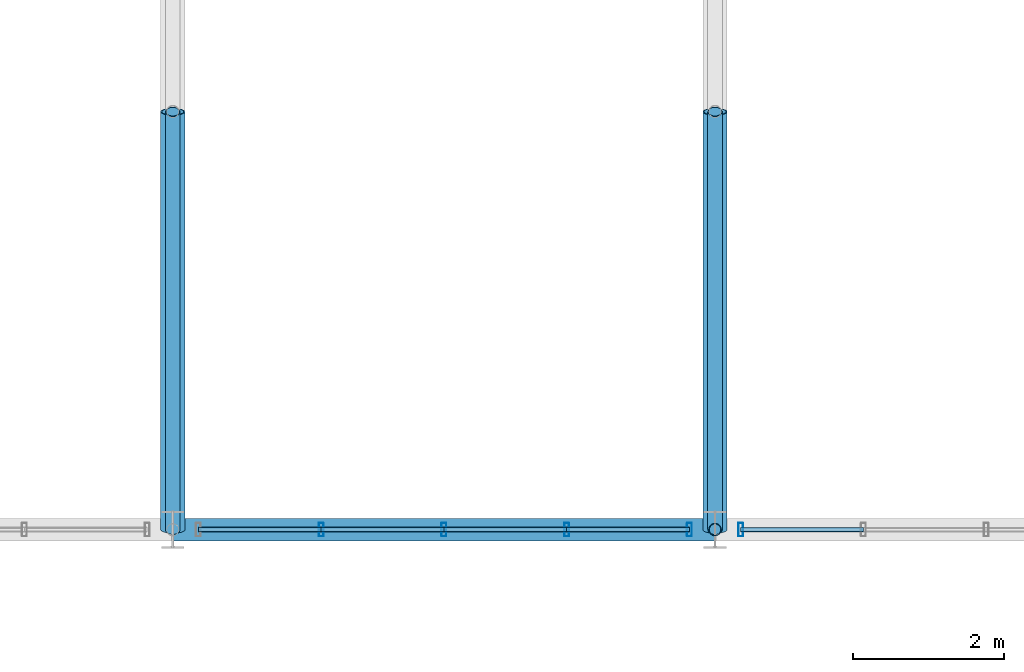
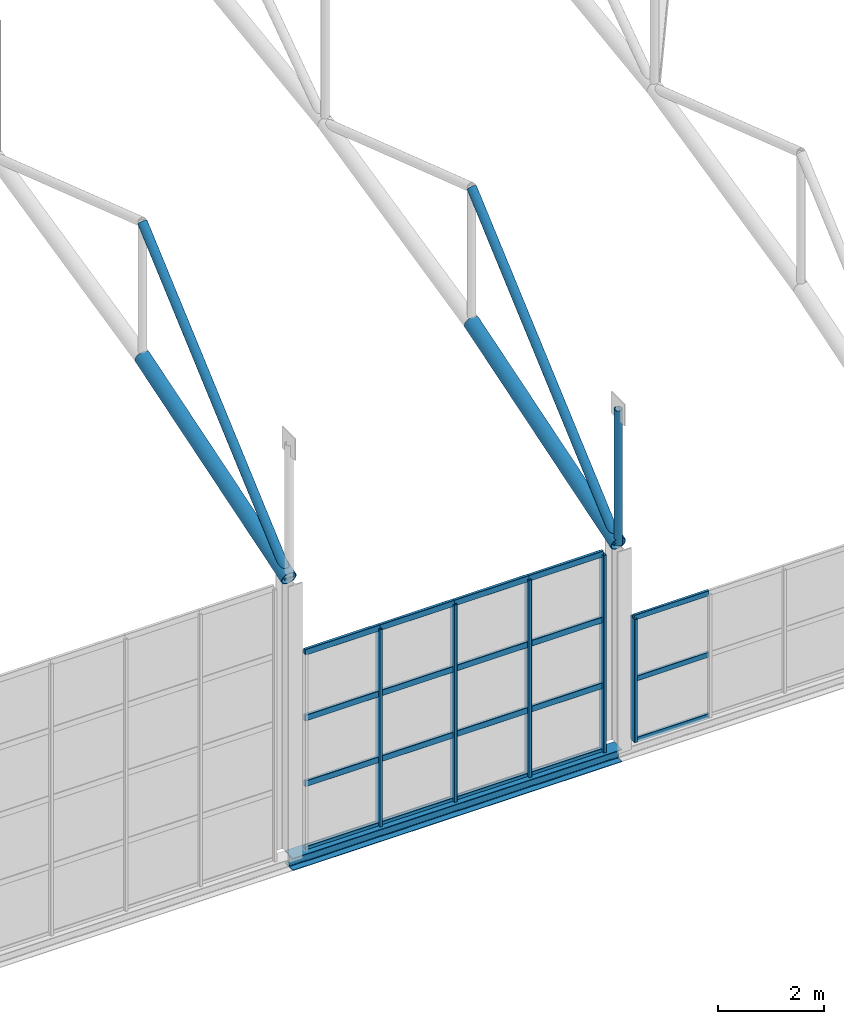
# One storey, part 18 of 153: 29 members, 1 beam, 2 elements without a shape of their own.
"""IFC4 building model written with IfcOpenShell, lengths in metres."""

from ifc_helpers import new_model, si_unit, derived_unit, direction, frame, origin, origin_2d, place, context, subcontext, project, spatial, hollow_rectangle, hollow_circle, i_section, extrude, material, material_profile, profile_set, type_object, element, aggregate, save


model = new_model("IFC4")

# Units and contexts
model_context = context("Model", 3, precision=1e-05, world=origin(), true_north=direction((0.0, 1.0)))
body_context = subcontext(model_context, "Body", "Model", "MODEL_VIEW")
ifc_project = project(units=[si_unit("LENGTHUNIT", "METRE"), si_unit("AREAUNIT", "SQUARE_METRE"), si_unit("VOLUMEUNIT", "CUBIC_METRE"), si_unit("PLANEANGLEUNIT", "RADIAN"), si_unit("MASSUNIT", "GRAM", prefix="KILO"), derived_unit("THERMALTRANSMITTANCEUNIT", [(si_unit("POWERUNIT", "WATT"), 1), (si_unit("LENGTHUNIT", "METRE"), -2), (si_unit("THERMODYNAMICTEMPERATUREUNIT", "KELVIN"), -1)])], contexts=[model_context])

# Site, building, storey
site_placement = place(None, origin())
site = spatial("IfcSite", under=ifc_project, at=site_placement, CompositionType="ELEMENT")
building_placement = place(site_placement, origin())
building = spatial("IfcBuilding", under=site, at=building_placement, Name="Keldorne Ridge Multi-Sports Centre", CompositionType="ELEMENT")
storey_placement = place(building_placement, frame((0.0, 0.0, 9.60009765625)))
storey = spatial("IfcBuildingStorey", under=building, at=storey_placement, Name="L02", CompositionType="ELEMENT", Elevation=9.60009765625)

# Beam
ifc_material_1 = material(Name="Steel S355", Category="steel")
ifc_material_profile_1 = material_profile(ifc_material_1, i_section(OverallWidth=0.300048828125, OverallDepth=0.2900390625, WebThickness=0.008544921875, FlangeThickness=0.013916015625, FilletRadius=0.027099609375, at=origin_2d()), Name="HEA 300")
ifc_profile_set_1 = profile_set([ifc_material_profile_1], Name="Steel S355")
beam_type = type_object("IfcBeamType", Name="BM-SP-04", PredefinedType="SPANDREL", material=ifc_profile_set_1)
beam_placement = place(storey_placement, frame((13.199951171875, 9.60009765625, -0.150146484375), z_axis=(1.0, 0.0, 0.0), x_axis=(0.0, 1.0, 0.0)))
element("IfcBeam", 1, at=beam_placement, inside=storey, type_object=beam_type, Name="Main Hall south spandrel L02.2", PredefinedType="SPANDREL", context=body_context, shape_type="SweptSolid", body=[
    extrude(i_section(OverallWidth=0.300048828125, OverallDepth=0.2900390625, WebThickness=0.008544921875, FlangeThickness=0.013916015625, FilletRadius=0.027099609375, at=origin_2d()), origin(), (0.0, 0.0, 1.0), 7.199951171875),
])

# Curtain wall, members
ifc_material_2 = material(Name="Anodized aluminium", Category="aluminium")
curtain_wall_type_1 = type_object("IfcCurtainWallType", Name="CW-CW-05", PredefinedType="NOTDEFINED", material=ifc_material_2)
curtain_wall_1_placement = place(storey_placement, origin())
curtain_wall_1 = element("IfcCurtainWall", 2, at=curtain_wall_1_placement, inside=storey, type_object=curtain_wall_type_1, Name="Main Hall south high clerestory 005", PredefinedType="NOTDEFINED")
ifc_material_profile_2 = material_profile(ifc_material_2, hollow_rectangle(XDim=0.06494140625, YDim=0.179931640625, WallThickness=0.00439453125, InnerFilletRadius=0.00439453125, OuterFilletRadius=0.009033203125, at=origin_2d()), Name="ALU MULLION 180x65x4.5")
ifc_profile_set_2 = profile_set([ifc_material_profile_2], Name="Anodized aluminium")
member_type_1 = type_object("IfcMemberType", Name="MEM-ML-01", PredefinedType="MULLION", material=ifc_profile_set_2)
member_1_placement = place(storey_placement, frame((15.169921875, 9.60009765625, 0.0), z_axis=(0.0, 0.0, 1.0), x_axis=(1.0, 0.0, 0.0)))
member_1 = element("IfcMember", 3, at=member_1_placement, type_object=member_type_1, Name="CW-005 vertical mullion 2", PredefinedType="MULLION", context=body_context, shape_type="SweptSolid", body=[
    extrude(hollow_rectangle(XDim=0.06494140625, YDim=0.179931640625, WallThickness=0.00439453125, InnerFilletRadius=0.00439453125, OuterFilletRadius=0.009033203125, at=origin_2d()), origin(), (0.0, 0.0, 1.0), 4.559814453125),
])
member_2_placement = place(storey_placement, frame((16.800048828125, 9.60009765625, 0.0), z_axis=(0.0, 0.0, 1.0), x_axis=(1.0, 0.0, 0.0)))
member_2 = element("IfcMember", 4, at=member_2_placement, type_object=member_type_1, Name="CW-005 vertical mullion 3", PredefinedType="MULLION", context=body_context, shape_type="SweptSolid", body=[
    extrude(hollow_rectangle(XDim=0.06494140625, YDim=0.179931640625, WallThickness=0.00439453125, InnerFilletRadius=0.00439453125, OuterFilletRadius=0.009033203125, at=origin_2d()), origin(), (0.0, 0.0, 1.0), 4.559814453125),
])
member_3_placement = place(storey_placement, frame((18.429931640625, 9.60009765625, 0.0), z_axis=(0.0, 0.0, 1.0), x_axis=(1.0, 0.0, 0.0)))
member_3 = element("IfcMember", 5, at=member_3_placement, type_object=member_type_1, Name="CW-005 vertical mullion 4", PredefinedType="MULLION", context=body_context, shape_type="SweptSolid", body=[
    extrude(hollow_rectangle(XDim=0.06494140625, YDim=0.179931640625, WallThickness=0.00439453125, InnerFilletRadius=0.00439453125, OuterFilletRadius=0.009033203125, at=origin_2d()), origin(), (0.0, 0.0, 1.0), 4.559814453125),
])
member_4_placement = place(storey_placement, frame((20.06005859375, 9.60009765625, 0.0), z_axis=(0.0, 0.0, 1.0), x_axis=(1.0, 0.0, 0.0)))
member_4 = element("IfcMember", 6, at=member_4_placement, type_object=member_type_1, Name="CW-005 vertical mullion 5", PredefinedType="MULLION", context=body_context, shape_type="SweptSolid", body=[
    extrude(hollow_rectangle(XDim=0.06494140625, YDim=0.179931640625, WallThickness=0.00439453125, InnerFilletRadius=0.00439453125, OuterFilletRadius=0.009033203125, at=origin_2d()), origin(), (0.0, 0.0, 1.0), 4.559814453125),
])

# Curtain wall, member
curtain_wall_type_2 = type_object("IfcCurtainWallType", Name="CW-CW-08", PredefinedType="NOTDEFINED", material=ifc_material_2)
curtain_wall_2_placement = place(storey_placement, origin())
curtain_wall_2 = element("IfcCurtainWall", 7, at=curtain_wall_2_placement, inside=storey, type_object=curtain_wall_type_2, Name="Main Hall south high clerestory 008", PredefinedType="NOTDEFINED")
member_5_placement = place(storey_placement, frame((20.739990234375, 9.60009765625, 0.0), z_axis=(0.0, 0.0, 1.0), x_axis=(1.0, 0.0, 0.0)))
member_5 = element("IfcMember", 8, at=member_5_placement, type_object=member_type_1, Name="CW-008 vertical mullion 1", PredefinedType="MULLION", context=body_context, shape_type="SweptSolid", body=[
    extrude(hollow_rectangle(XDim=0.06494140625, YDim=0.179931640625, WallThickness=0.00439453125, InnerFilletRadius=0.00439453125, OuterFilletRadius=0.009033203125, at=origin_2d()), origin(), (0.0, 0.0, 1.0), 2.83984375),
])

# Members
ifc_material_profile_3 = material_profile(ifc_material_1, hollow_circle(Radius=0.161865234375, WallThickness=0.01611328125, at=origin_2d()), Name="CHS 323.9x16")
ifc_profile_set_3 = profile_set([ifc_material_profile_3], Name="Steel S355")
member_type_2 = type_object("IfcMemberType", Name="MEM-TC-02", PredefinedType="CHORD", material=ifc_profile_set_3)
for number, where, z_axis, x_axis, name in (
    (9, (13.199951171875, 9.60009765625, 6.3798828125), (0.0, 0.953709395146, 0.300729761763), (-1.0, 0.0, 0.0), "Main Hall ROOF TRUSS AT-02 bottom chord 1"),
    (10, (20.39990234375, 9.60009765625, 4.659912109375), (0.0, 0.953709395146, 0.300729761763), (-1.0, 0.0, 0.0), "Main Hall ROOF TRUSS AT-03 bottom chord 1"),
):
    element("IfcMember", number, at=place(storey_placement, frame(where, z_axis=z_axis, x_axis=x_axis)), inside=storey, type_object=member_type_2, Name=name, PredefinedType="CHORD", context=body_context, shape_type="SweptSolid", body=[
        extrude(hollow_circle(Radius=0.161865234375, WallThickness=0.01611328125, at=origin_2d()), origin(), (0.0, 0.0, 1.0), 5.819091796875),
    ])
ifc_material_profile_4 = material_profile(ifc_material_1, hollow_circle(Radius=0.096923828125, WallThickness=0.010009765625, at=origin_2d()), Name="CHS 193.7x10")
ifc_profile_set_4 = profile_set([ifc_material_profile_4], Name="Steel S355")
member_type_3 = type_object("IfcMemberType", Name="MEM-TD-01", PredefinedType="BRACE", material=ifc_profile_set_4)
for number, where, z_axis, x_axis, name in (
    (11, (13.199951171875, 9.60009765625, 6.3798828125), (0.0, 0.751633717976, 0.659580741078), (-1.0, 0.0, 0.0), "Main Hall ROOF TRUSS AT-02 diagonal 1"),
    (12, (20.39990234375, 9.60009765625, 4.659912109375), (0.0, 0.751650110512, 0.659562060285), (-1.0, 0.0, 0.0), "Main Hall ROOF TRUSS AT-03 diagonal 1"),
):
    element("IfcMember", number, at=place(storey_placement, frame(where, z_axis=z_axis, x_axis=x_axis)), inside=storey, type_object=member_type_3, Name=name, PredefinedType="BRACE", context=body_context, shape_type="SweptSolid", body=[
        extrude(hollow_circle(Radius=0.096923828125, WallThickness=0.010009765625, at=origin_2d()), origin(), (0.0, 0.0, 1.0), 7.383544921875),
    ])

# Member
ifc_material_profile_5 = material_profile(ifc_material_2, hollow_rectangle(XDim=0.06494140625, YDim=0.139892578125, WallThickness=0.00439453125, InnerFilletRadius=0.00439453125, OuterFilletRadius=0.009033203125, at=origin_2d()), Name="ALU TRANSOM 140x65x4.5")
ifc_profile_set_5 = profile_set([ifc_material_profile_5], Name="Anodized aluminium")
member_type_4 = type_object("IfcMemberType", Name="MEM-TR-01", PredefinedType="USERDEFINED", material=ifc_profile_set_5)
member_6_placement = place(storey_placement, frame((13.5400390625, 9.60009765625, 0.0), z_axis=(1.0, 0.0, 0.0), x_axis=(0.0, 1.0, 0.0)))
member_6 = element("IfcMember", 13, at=member_6_placement, type_object=member_type_4, Name="CW-005 transom 1.1", ObjectType="TRANSOM", PredefinedType="USERDEFINED", context=body_context, shape_type="SweptSolid", body=[
    extrude(hollow_rectangle(XDim=0.06494140625, YDim=0.139892578125, WallThickness=0.00439453125, InnerFilletRadius=0.00439453125, OuterFilletRadius=0.009033203125, at=origin_2d()), origin(), (0.0, 0.0, 1.0), 1.6298828125),
])

member_7_placement = place(storey_placement, frame((13.5400390625, 9.60009765625, 1.52001953125), z_axis=(1.0, 0.0, 0.0), x_axis=(0.0, 1.0, 0.0)))
member_7 = element("IfcMember", 14, at=member_7_placement, type_object=member_type_4, Name="CW-005 transom 1.2", ObjectType="TRANSOM", PredefinedType="USERDEFINED", context=body_context, shape_type="SweptSolid", body=[
    extrude(hollow_rectangle(XDim=0.06494140625, YDim=0.139892578125, WallThickness=0.00439453125, InnerFilletRadius=0.00439453125, OuterFilletRadius=0.009033203125, at=origin_2d()), origin(), (0.0, 0.0, 1.0), 1.6298828125),
])

member_8_placement = place(storey_placement, frame((13.5400390625, 9.60009765625, 3.039794921875), z_axis=(1.0, 0.0, 0.0), x_axis=(0.0, 1.0, 0.0)))
member_8 = element("IfcMember", 15, at=member_8_placement, type_object=member_type_4, Name="CW-005 transom 1.3", ObjectType="TRANSOM", PredefinedType="USERDEFINED", context=body_context, shape_type="SweptSolid", body=[
    extrude(hollow_rectangle(XDim=0.06494140625, YDim=0.139892578125, WallThickness=0.00439453125, InnerFilletRadius=0.00439453125, OuterFilletRadius=0.009033203125, at=origin_2d()), origin(), (0.0, 0.0, 1.0), 1.6298828125),
])

member_9_placement = place(storey_placement, frame((13.5400390625, 9.60009765625, 4.559814453125), z_axis=(1.0, 0.0, 0.0), x_axis=(0.0, 1.0, 0.0)))
member_9 = element("IfcMember", 16, at=member_9_placement, type_object=member_type_4, Name="CW-005 transom 1.4", ObjectType="TRANSOM", PredefinedType="USERDEFINED", context=body_context, shape_type="SweptSolid", body=[
    extrude(hollow_rectangle(XDim=0.06494140625, YDim=0.139892578125, WallThickness=0.00439453125, InnerFilletRadius=0.00439453125, OuterFilletRadius=0.009033203125, at=origin_2d()), origin(), (0.0, 0.0, 1.0), 1.6298828125),
])

member_10_placement = place(storey_placement, frame((15.169921875, 9.60009765625, 0.0), z_axis=(1.0, 0.0, 0.0), x_axis=(0.0, 1.0, 0.0)))
member_10 = element("IfcMember", 17, at=member_10_placement, type_object=member_type_4, Name="CW-005 transom 2.1", ObjectType="TRANSOM", PredefinedType="USERDEFINED", context=body_context, shape_type="SweptSolid", body=[
    extrude(hollow_rectangle(XDim=0.06494140625, YDim=0.139892578125, WallThickness=0.00439453125, InnerFilletRadius=0.00439453125, OuterFilletRadius=0.009033203125, at=origin_2d()), origin(), (0.0, 0.0, 1.0), 1.630126953125),
])

member_11_placement = place(storey_placement, frame((15.169921875, 9.60009765625, 1.52001953125), z_axis=(1.0, 0.0, 0.0), x_axis=(0.0, 1.0, 0.0)))
member_11 = element("IfcMember", 18, at=member_11_placement, type_object=member_type_4, Name="CW-005 transom 2.2", ObjectType="TRANSOM", PredefinedType="USERDEFINED", context=body_context, shape_type="SweptSolid", body=[
    extrude(hollow_rectangle(XDim=0.06494140625, YDim=0.139892578125, WallThickness=0.00439453125, InnerFilletRadius=0.00439453125, OuterFilletRadius=0.009033203125, at=origin_2d()), origin(), (0.0, 0.0, 1.0), 1.630126953125),
])

member_12_placement = place(storey_placement, frame((15.169921875, 9.60009765625, 3.039794921875), z_axis=(1.0, 0.0, 0.0), x_axis=(0.0, 1.0, 0.0)))
member_12 = element("IfcMember", 19, at=member_12_placement, type_object=member_type_4, Name="CW-005 transom 2.3", ObjectType="TRANSOM", PredefinedType="USERDEFINED", context=body_context, shape_type="SweptSolid", body=[
    extrude(hollow_rectangle(XDim=0.06494140625, YDim=0.139892578125, WallThickness=0.00439453125, InnerFilletRadius=0.00439453125, OuterFilletRadius=0.009033203125, at=origin_2d()), origin(), (0.0, 0.0, 1.0), 1.630126953125),
])

member_13_placement = place(storey_placement, frame((15.169921875, 9.60009765625, 4.559814453125), z_axis=(1.0, 0.0, 0.0), x_axis=(0.0, 1.0, 0.0)))
member_13 = element("IfcMember", 20, at=member_13_placement, type_object=member_type_4, Name="CW-005 transom 2.4", ObjectType="TRANSOM", PredefinedType="USERDEFINED", context=body_context, shape_type="SweptSolid", body=[
    extrude(hollow_rectangle(XDim=0.06494140625, YDim=0.139892578125, WallThickness=0.00439453125, InnerFilletRadius=0.00439453125, OuterFilletRadius=0.009033203125, at=origin_2d()), origin(), (0.0, 0.0, 1.0), 1.630126953125),
])

member_14_placement = place(storey_placement, frame((16.800048828125, 9.60009765625, 0.0), z_axis=(1.0, 0.0, 0.0), x_axis=(0.0, 1.0, 0.0)))
member_14 = element("IfcMember", 21, at=member_14_placement, type_object=member_type_4, Name="CW-005 transom 3.1", ObjectType="TRANSOM", PredefinedType="USERDEFINED", context=body_context, shape_type="SweptSolid", body=[
    extrude(hollow_rectangle(XDim=0.06494140625, YDim=0.139892578125, WallThickness=0.00439453125, InnerFilletRadius=0.00439453125, OuterFilletRadius=0.009033203125, at=origin_2d()), origin(), (0.0, 0.0, 1.0), 1.6298828125),
])

member_15_placement = place(storey_placement, frame((16.800048828125, 9.60009765625, 1.52001953125), z_axis=(1.0, 0.0, 0.0), x_axis=(0.0, 1.0, 0.0)))
member_15 = element("IfcMember", 22, at=member_15_placement, type_object=member_type_4, Name="CW-005 transom 3.2", ObjectType="TRANSOM", PredefinedType="USERDEFINED", context=body_context, shape_type="SweptSolid", body=[
    extrude(hollow_rectangle(XDim=0.06494140625, YDim=0.139892578125, WallThickness=0.00439453125, InnerFilletRadius=0.00439453125, OuterFilletRadius=0.009033203125, at=origin_2d()), origin(), (0.0, 0.0, 1.0), 1.6298828125),
])

member_16_placement = place(storey_placement, frame((16.800048828125, 9.60009765625, 3.039794921875), z_axis=(1.0, 0.0, 0.0), x_axis=(0.0, 1.0, 0.0)))
member_16 = element("IfcMember", 23, at=member_16_placement, type_object=member_type_4, Name="CW-005 transom 3.3", ObjectType="TRANSOM", PredefinedType="USERDEFINED", context=body_context, shape_type="SweptSolid", body=[
    extrude(hollow_rectangle(XDim=0.06494140625, YDim=0.139892578125, WallThickness=0.00439453125, InnerFilletRadius=0.00439453125, OuterFilletRadius=0.009033203125, at=origin_2d()), origin(), (0.0, 0.0, 1.0), 1.6298828125),
])

member_17_placement = place(storey_placement, frame((16.800048828125, 9.60009765625, 4.559814453125), z_axis=(1.0, 0.0, 0.0), x_axis=(0.0, 1.0, 0.0)))
member_17 = element("IfcMember", 24, at=member_17_placement, type_object=member_type_4, Name="CW-005 transom 3.4", ObjectType="TRANSOM", PredefinedType="USERDEFINED", context=body_context, shape_type="SweptSolid", body=[
    extrude(hollow_rectangle(XDim=0.06494140625, YDim=0.139892578125, WallThickness=0.00439453125, InnerFilletRadius=0.00439453125, OuterFilletRadius=0.009033203125, at=origin_2d()), origin(), (0.0, 0.0, 1.0), 1.6298828125),
])

member_18_placement = place(storey_placement, frame((18.429931640625, 9.60009765625, 0.0), z_axis=(1.0, 0.0, 0.0), x_axis=(0.0, 1.0, 0.0)))
member_18 = element("IfcMember", 25, at=member_18_placement, type_object=member_type_4, Name="CW-005 transom 4.1", ObjectType="TRANSOM", PredefinedType="USERDEFINED", context=body_context, shape_type="SweptSolid", body=[
    extrude(hollow_rectangle(XDim=0.06494140625, YDim=0.139892578125, WallThickness=0.00439453125, InnerFilletRadius=0.00439453125, OuterFilletRadius=0.009033203125, at=origin_2d()), origin(), (0.0, 0.0, 1.0), 1.630126953125),
])

member_19_placement = place(storey_placement, frame((18.429931640625, 9.60009765625, 1.52001953125), z_axis=(1.0, 0.0, 0.0), x_axis=(0.0, 1.0, 0.0)))
member_19 = element("IfcMember", 26, at=member_19_placement, type_object=member_type_4, Name="CW-005 transom 4.2", ObjectType="TRANSOM", PredefinedType="USERDEFINED", context=body_context, shape_type="SweptSolid", body=[
    extrude(hollow_rectangle(XDim=0.06494140625, YDim=0.139892578125, WallThickness=0.00439453125, InnerFilletRadius=0.00439453125, OuterFilletRadius=0.009033203125, at=origin_2d()), origin(), (0.0, 0.0, 1.0), 1.630126953125),
])

member_20_placement = place(storey_placement, frame((18.429931640625, 9.60009765625, 3.039794921875), z_axis=(1.0, 0.0, 0.0), x_axis=(0.0, 1.0, 0.0)))
member_20 = element("IfcMember", 27, at=member_20_placement, type_object=member_type_4, Name="CW-005 transom 4.3", ObjectType="TRANSOM", PredefinedType="USERDEFINED", context=body_context, shape_type="SweptSolid", body=[
    extrude(hollow_rectangle(XDim=0.06494140625, YDim=0.139892578125, WallThickness=0.00439453125, InnerFilletRadius=0.00439453125, OuterFilletRadius=0.009033203125, at=origin_2d()), origin(), (0.0, 0.0, 1.0), 1.630126953125),
])

member_21_placement = place(storey_placement, frame((18.429931640625, 9.60009765625, 4.559814453125), z_axis=(1.0, 0.0, 0.0), x_axis=(0.0, 1.0, 0.0)))
member_21 = element("IfcMember", 28, at=member_21_placement, type_object=member_type_4, Name="CW-005 transom 4.4", ObjectType="TRANSOM", PredefinedType="USERDEFINED", context=body_context, shape_type="SweptSolid", body=[
    extrude(hollow_rectangle(XDim=0.06494140625, YDim=0.139892578125, WallThickness=0.00439453125, InnerFilletRadius=0.00439453125, OuterFilletRadius=0.009033203125, at=origin_2d()), origin(), (0.0, 0.0, 1.0), 1.630126953125),
])

aggregate(curtain_wall_1, [member_1, member_2, member_3, member_4, member_6, member_7, member_8, member_9, member_10, member_11, member_12, member_13, member_14, member_15, member_16, member_17, member_18, member_19, member_20, member_21])

ifc_material_profile_6 = material_profile(ifc_material_2, hollow_rectangle(XDim=0.06005859375, YDim=0.1201171875, WallThickness=0.00390625, InnerFilletRadius=0.00390625, OuterFilletRadius=0.008056640625, at=origin_2d()), Name="ALU TRANSOM 120x60x4")
ifc_profile_set_6 = profile_set([ifc_material_profile_6], Name="Anodized aluminium")
member_type_5 = type_object("IfcMemberType", Name="MEM-TR-02", PredefinedType="USERDEFINED", material=ifc_profile_set_6)
member_22_placement = place(storey_placement, frame((20.739990234375, 9.60009765625, 0.0), z_axis=(1.0, 0.0, 0.0), x_axis=(0.0, 1.0, 0.0)))
member_22 = element("IfcMember", 29, at=member_22_placement, type_object=member_type_5, Name="CW-008 transom 1.1", ObjectType="TRANSOM", PredefinedType="USERDEFINED", context=body_context, shape_type="SweptSolid", body=[
    extrude(hollow_rectangle(XDim=0.06005859375, YDim=0.1201171875, WallThickness=0.00390625, InnerFilletRadius=0.00390625, OuterFilletRadius=0.008056640625, at=origin_2d()), origin(), (0.0, 0.0, 1.0), 1.630126953125),
])

member_23_placement = place(storey_placement, frame((20.739990234375, 9.60009765625, 1.419921875), z_axis=(1.0, 0.0, 0.0), x_axis=(0.0, 1.0, 0.0)))
member_23 = element("IfcMember", 30, at=member_23_placement, type_object=member_type_5, Name="CW-008 transom 1.2", ObjectType="TRANSOM", PredefinedType="USERDEFINED", context=body_context, shape_type="SweptSolid", body=[
    extrude(hollow_rectangle(XDim=0.06005859375, YDim=0.1201171875, WallThickness=0.00390625, InnerFilletRadius=0.00390625, OuterFilletRadius=0.008056640625, at=origin_2d()), origin(), (0.0, 0.0, 1.0), 1.630126953125),
])

member_24_placement = place(storey_placement, frame((20.739990234375, 9.60009765625, 2.83984375), z_axis=(1.0, 0.0, 0.0), x_axis=(0.0, 1.0, 0.0)))
member_24 = element("IfcMember", 31, at=member_24_placement, type_object=member_type_5, Name="CW-008 transom 1.3", ObjectType="TRANSOM", PredefinedType="USERDEFINED", context=body_context, shape_type="SweptSolid", body=[
    extrude(hollow_rectangle(XDim=0.06005859375, YDim=0.1201171875, WallThickness=0.00390625, InnerFilletRadius=0.00390625, OuterFilletRadius=0.008056640625, at=origin_2d()), origin(), (0.0, 0.0, 1.0), 1.630126953125),
])

aggregate(curtain_wall_2, [member_5, member_22, member_23, member_24])

ifc_material_profile_7 = material_profile(ifc_material_1, hollow_circle(Radius=0.084228515625, WallThickness=0.010009765625, at=origin_2d()), Name="CHS 168.3x10")
ifc_profile_set_7 = profile_set([ifc_material_profile_7], Name="Steel S355")
member_type_6 = type_object("IfcMemberType", Name="MEM-TV-01", PredefinedType="STRUT", material=ifc_profile_set_7)
member_25_placement = place(storey_placement, frame((20.39990234375, 9.60009765625, 4.659912109375), z_axis=(0.0, 0.0, 1.0), x_axis=(1.0, 0.0, 0.0)))
element("IfcMember", 32, at=member_25_placement, inside=storey, type_object=member_type_6, Name="Main Hall ROOF TRUSS AT-03 vertical 1", PredefinedType="STRUT", context=body_context, shape_type="SweptSolid", body=[
    extrude(hollow_circle(Radius=0.084228515625, WallThickness=0.010009765625, at=origin_2d()), origin(), (0.0, 0.0, 1.0), 3.119873046875),
])

save(model, "model.ifc")
